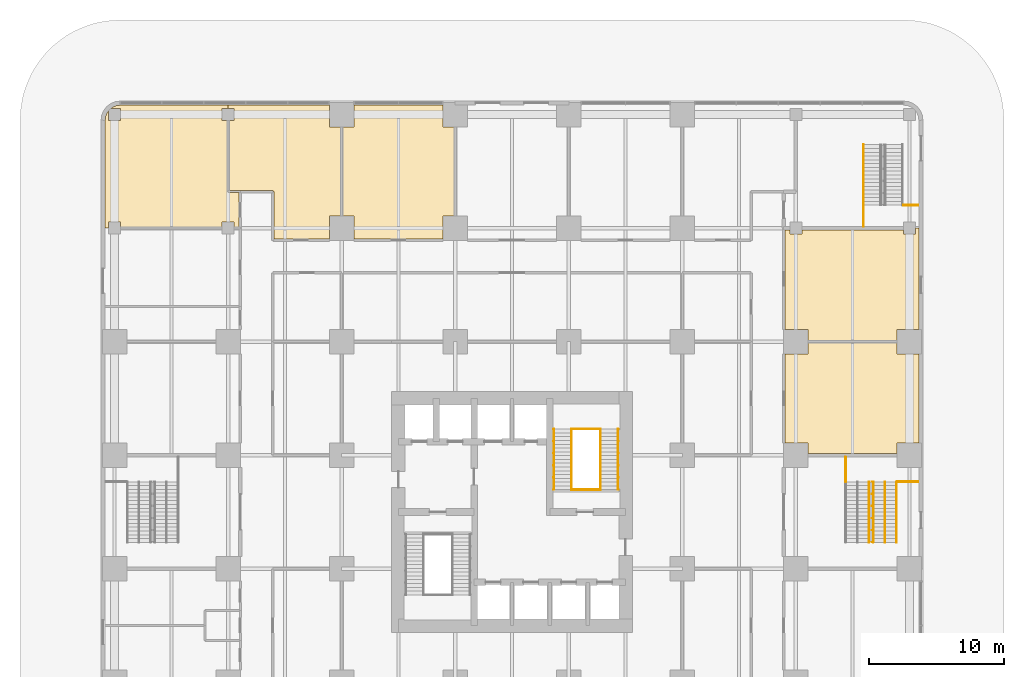
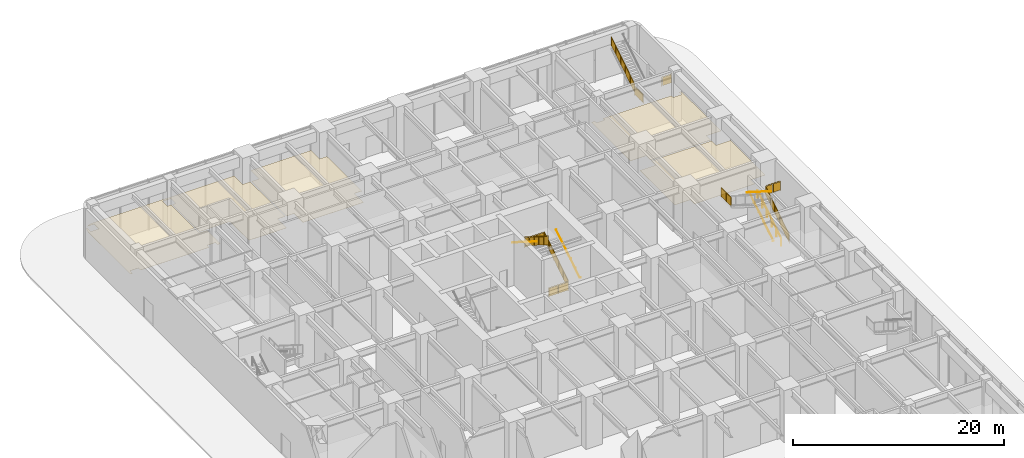
# One storey, part 20 of 21: 15 railings, 5 coverings.
"""IFC4 building model written with IfcOpenShell, lengths in metres."""

from ifc_helpers import new_model, si_unit, direction, frame, origin, origin_2d, place, context, subcontext, project, spatial, polyline, circle, outline, extrude, material, layer, layer_set, type_object, element, save


model = new_model("IFC4")

# Units and contexts
model_context = context("Model", 3, precision=1e-05, world=origin(), true_north=direction((0.0, 1.0)))
body_context = subcontext(model_context, "Body", "Model", "MODEL_VIEW")
ifc_project = project(units=[si_unit("LENGTHUNIT", "METRE"), si_unit("AREAUNIT", "SQUARE_METRE"), si_unit("VOLUMEUNIT", "CUBIC_METRE"), si_unit("PLANEANGLEUNIT", "RADIAN"), si_unit("MASSUNIT", "GRAM", prefix="KILO")], contexts=[model_context])

# Site, building, storey
site_placement = place(None, origin())
site = spatial("IfcSite", under=ifc_project, at=site_placement, CompositionType="ELEMENT")
building_placement = place(site_placement, origin())
building = spatial("IfcBuilding", under=site, at=building_placement, Name="Torre Alcanfor", CompositionType="ELEMENT")
storey_placement = place(building_placement, origin())
storey = spatial("IfcBuildingStorey", under=building, at=storey_placement, Name="L00", CompositionType="ELEMENT", Elevation=0.0)

# Coverings
ifc_material_1 = material(Name="Mineral fibre acoustic tile 20 mm, NRC 0.70, on exposed suspension grid", Category="mineral fibre")
ifc_layer = layer(ifc_material_1, 0.02001953125)
ifc_layer_set = layer_set([ifc_layer], Name="Acoustic suspended ceiling 600x600 mineral fibre tile")
covering_type = type_object("IfcCoveringType", Name="Acoustic suspended ceiling 600x600 mineral fibre tile", PredefinedType="CEILING", material=ifc_layer_set)
covering_1_placement = place(storey_placement, frame((0.0, 0.0, 3.0)))
element("IfcCovering", 1, at=covering_1_placement, inside=storey, type_object=covering_type, Name="Ceiling L00-16", PredefinedType="CEILING", context=body_context, shape_type="SweptSolid", body=[
    extrude(outline(polyline([(57.89990234375, 34.5), (59.5, 34.5), (59.5, 41.10009765625), (57.89990234375, 41.10009765625), (57.89990234375, 41.925048828125), (51.300048828125, 41.925048828125), (51.300048828125, 41.10009765625), (49.60009765625, 41.10009765625), (49.60009765625, 34.5), (51.300048828125, 34.5), (51.300048828125, 33.72509765625), (57.89990234375, 33.72509765625), (57.89990234375, 34.5)])), origin(), (0.0, 0.0, 1.0), 0.02001953125),
])
covering_2_placement = place(storey_placement, frame((0.0, 0.0, 3.0)))
element("IfcCovering", 2, at=covering_2_placement, inside=storey, type_object=covering_type, Name="Ceiling L00-18", PredefinedType="CEILING", context=body_context, shape_type="SweptSolid", body=[
    extrude(outline(polyline([(57.89990234375, 42.89990234375), (59.5, 42.89990234375), (59.5, 50.39990234375), (59.25, 50.39990234375), (59.25, 49.949951171875), (58.35009765625, 49.949951171875), (58.35009765625, 50.27490234375), (50.85009765625, 50.27490234375), (50.85009765625, 49.949951171875), (49.949951171875, 49.949951171875), (49.949951171875, 50.27490234375), (49.60009765625, 50.27490234375), (49.60009765625, 42.89990234375), (51.300048828125, 42.89990234375), (51.300048828125, 42.074951171875), (57.89990234375, 42.074951171875), (57.89990234375, 42.89990234375)])), origin(), (0.0, 0.0, 1.0), 0.02001953125),
])
covering_3_placement = place(storey_placement, frame((0.0, 0.0, 3.0)))
element("IfcCovering", 3, at=covering_3_placement, inside=storey, type_object=covering_type, Name="Ceiling L00-20", PredefinedType="CEILING", context=body_context, shape_type="SweptSolid", body=[
    extrude(outline(polyline([(16.875, 51.300048828125), (17.699951171875, 51.300048828125), (17.699951171875, 49.60009765625), (24.300048828125, 49.60009765625), (24.300048828125, 51.300048828125), (25.10009765625, 51.300048828125), (25.10009765625, 57.89990234375), (24.300048828125, 57.89990234375), (24.300048828125, 59.5), (17.699951171875, 59.5), (17.699951171875, 57.89990234375), (16.875, 57.89990234375), (16.875, 51.300048828125)])), origin(), (0.0, 0.0, 1.0), 0.02001953125),
])
covering_4_placement = place(storey_placement, frame((0.0, 0.0, 3.0)))
element("IfcCovering", 4, at=covering_4_placement, inside=storey, type_object=covering_type, Name="Ceiling L00-23", PredefinedType="CEILING", context=body_context, shape_type="SweptSolid", body=[
    extrude(outline(polyline([(-0.449951171875, 59.079345703125), (-0.55029296875, 58.94873046875), (-0.659912109375, 58.68408203125), (-0.699951171875, 58.38037109375), (-0.699951171875, 50.39990234375), (-0.449951171875, 50.39990234375), (-0.449951171875, 50.85009765625), (0.449951171875, 50.85009765625), (0.449951171875, 50.47509765625), (7.949951171875, 50.47509765625), (7.949951171875, 50.85009765625), (8.85009765625, 50.85009765625), (8.85009765625, 50.47509765625), (9.199951171875, 50.47509765625), (9.199951171875, 53.02490234375), (8.39990234375, 53.02490234375), (8.39990234375, 53.10009765625), (8.324951171875, 53.10009765625), (8.324951171875, 58.35009765625), (7.949951171875, 58.35009765625), (7.949951171875, 59.25), (8.39990234375, 59.25), (8.39990234375, 59.5), (0.419677734375, 59.5), (0.115966796875, 59.4599609375), (-0.148681640625, 59.350341796875), (-0.279296875, 59.25), (0.449951171875, 59.25), (0.449951171875, 58.35009765625), (-0.449951171875, 58.35009765625), (-0.449951171875, 59.079345703125)])), origin(), (0.0, 0.0, 1.0), 0.02001953125),
])
covering_5_placement = place(storey_placement, frame((0.0, 0.0, 3.0)))
element("IfcCovering", 5, at=covering_5_placement, inside=storey, type_object=covering_type, Name="Ceiling L00-25", PredefinedType="CEILING", context=body_context, shape_type="SweptSolid", body=[
    extrude(outline(polyline([(8.39990234375, 59.25), (8.85009765625, 59.25), (8.85009765625, 58.35009765625), (8.47509765625, 58.35009765625), (8.47509765625, 53.175048828125), (9.300048828125, 53.175048828125), (9.300048828125, 53.199951171875), (11.699951171875, 53.199951171875), (11.699951171875, 53.10009765625), (11.800048828125, 53.10009765625), (11.800048828125, 49.60009765625), (15.89990234375, 49.60009765625), (15.89990234375, 51.300048828125), (16.72509765625, 51.300048828125), (16.72509765625, 57.89990234375), (15.89990234375, 57.89990234375), (15.89990234375, 59.5), (8.39990234375, 59.5), (8.39990234375, 59.25)])), origin(), (0.0, 0.0, 1.0), 0.02001953125),
])

# Railings
ifc_material_2 = material(Name="Steel ASTM A500 Grade C hollow sections", Category="steel")
railing_type_1 = type_object("IfcRailingType", Name="Stair guard and handrail 1100", PredefinedType="GUARDRAIL", material=ifc_material_2)
railing_1_placement = place(storey_placement, frame((35.949951171875, 31.050048828125, 0.176513671875)))
element("IfcRailing", 6, at=railing_1_placement, inside=storey, type_object=railing_type_1, Name="Stair guard S2 L00 flight 1", PredefinedType="GUARDRAIL", context=body_context, shape_type="SweptSolid", body=[
    extrude(circle(Radius=0.02392578125, at=origin_2d()), frame((0.0, 0.0, 1.076171875), z_axis=(0.0, 0.845997938375, 0.533186166611), x_axis=(-1.0, 0.0, 0.0)), (0.0, 0.0, 1.0), 5.29541015625),
    extrude(circle(Radius=0.02099609375, at=origin_2d()), origin(), (0.0, 0.0, 1.0), 1.052001953125),
    extrude(circle(Radius=0.02099609375, at=origin_2d()), frame((0.0, 0.89599609375, 0.564697265625)), (0.0, 0.0, 1.0), 1.052001953125),
    extrude(circle(Radius=0.02099609375, at=origin_2d()), frame((0.0, 1.7919921875, 1.12939453125)), (0.0, 0.0, 1.0), 1.052001953125),
    extrude(circle(Radius=0.02099609375, at=origin_2d()), frame((0.0, 2.68798828125, 1.694091796875)), (0.0, 0.0, 1.0), 1.052001953125),
    extrude(circle(Radius=0.02099609375, at=origin_2d()), frame((0.0, 3.583984375, 2.2587890625)), (0.0, 0.0, 1.0), 1.052001953125),
    extrude(circle(Radius=0.02099609375, at=origin_2d()), frame((0.0, 4.47998046875, 2.823486328125)), (0.0, 0.0, 1.0), 1.052001953125),
    extrude(outline(polyline([(0.041015625, 0.075927734375), (0.85498046875, 0.5888671875), (0.85498046875, 1.540771484375), (0.041015625, 1.02783203125), (0.041015625, 0.075927734375)])), frame((-0.005859375, 0.0, 0.0), z_axis=(1.0, 0.0, 0.0), x_axis=(0.0, 1.0, 0.0)), (0.0, 0.0, 1.0), 0.011962890625),
    extrude(outline(polyline([(0.93701171875, 0.640625), (1.7509765625, 1.153564453125), (1.7509765625, 2.10546875), (0.93701171875, 1.592529296875), (0.93701171875, 0.640625)])), frame((-0.005859375, 0.0, 0.0), z_axis=(1.0, 0.0, 0.0), x_axis=(0.0, 1.0, 0.0)), (0.0, 0.0, 1.0), 0.011962890625),
    extrude(outline(polyline([(1.8330078125, 1.205322265625), (2.64697265625, 1.71826171875), (2.64697265625, 2.670166015625), (1.8330078125, 2.1572265625), (1.8330078125, 1.205322265625)])), frame((-0.005859375, 0.0, 0.0), z_axis=(1.0, 0.0, 0.0), x_axis=(0.0, 1.0, 0.0)), (0.0, 0.0, 1.0), 0.011962890625),
    extrude(outline(polyline([(2.72900390625, 1.77001953125), (3.54296875, 2.282958984375), (3.54296875, 3.23486328125), (2.72900390625, 2.721923828125), (2.72900390625, 1.77001953125)])), frame((-0.005859375, 0.0, 0.0), z_axis=(1.0, 0.0, 0.0), x_axis=(0.0, 1.0, 0.0)), (0.0, 0.0, 1.0), 0.011962890625),
    extrude(outline(polyline([(3.625, 2.334716796875), (4.43896484375, 2.84765625), (4.43896484375, 3.799560546875), (3.625, 3.28662109375), (3.625, 2.334716796875)])), frame((-0.005859375, 0.0, 0.0), z_axis=(1.0, 0.0, 0.0), x_axis=(0.0, 1.0, 0.0)), (0.0, 0.0, 1.0), 0.011962890625),
])
railing_2_placement = place(storey_placement, frame((33.800048828125, 35.530029296875, 3.176513671875)))
element("IfcRailing", 7, at=railing_2_placement, inside=storey, type_object=railing_type_1, Name="Stair guard S2 L00 flight 2", PredefinedType="GUARDRAIL", context=body_context, shape_type="SweptSolid", body=[
    extrude(circle(Radius=0.02392578125, at=origin_2d()), frame((0.0, 0.0, 1.076171875), z_axis=(0.0, -0.845997938375, 0.533186166611), x_axis=(1.0, 0.0, 0.0)), (0.0, 0.0, 1.0), 5.29541015625),
    extrude(circle(Radius=0.02099609375, at=origin_2d()), origin(), (0.0, 0.0, 1.0), 1.052001953125),
    extrude(circle(Radius=0.02099609375, at=origin_2d()), frame((0.0, -0.89599609375, 0.564697265625)), (0.0, 0.0, 1.0), 1.052001953125),
    extrude(circle(Radius=0.02099609375, at=origin_2d()), frame((0.0, -1.7919921875, 1.12939453125)), (0.0, 0.0, 1.0), 1.052001953125),
    extrude(circle(Radius=0.02099609375, at=origin_2d()), frame((0.0, -2.68798828125, 1.694091796875)), (0.0, 0.0, 1.0), 1.052001953125),
    extrude(circle(Radius=0.02099609375, at=origin_2d()), frame((0.0, -3.583984375, 2.2587890625)), (0.0, 0.0, 1.0), 1.052001953125),
    extrude(circle(Radius=0.02099609375, at=origin_2d()), frame((0.0, -4.47998046875, 2.823486328125)), (0.0, 0.0, 1.0), 1.052001953125),
    extrude(outline(polyline([(0.041015625, 0.075927734375), (0.85498046875, 0.5888671875), (0.85498046875, 1.540771484375), (0.041015625, 1.02783203125), (0.041015625, 0.075927734375)])), frame((0.005859375, 0.0, 0.0), z_axis=(-1.0, 0.0, 0.0), x_axis=(0.0, -1.0, 0.0)), (0.0, 0.0, 1.0), 0.011962890625),
    extrude(outline(polyline([(0.93701171875, 0.640625), (1.7509765625, 1.153564453125), (1.7509765625, 2.10546875), (0.93701171875, 1.592529296875), (0.93701171875, 0.640625)])), frame((0.005859375, 0.0, 0.0), z_axis=(-1.0, 0.0, 0.0), x_axis=(0.0, -1.0, 0.0)), (0.0, 0.0, 1.0), 0.011962890625),
    extrude(outline(polyline([(1.8330078125, 1.205322265625), (2.64697265625, 1.71826171875), (2.64697265625, 2.670166015625), (1.8330078125, 2.1572265625), (1.8330078125, 1.205322265625)])), frame((0.005859375, 0.0, 0.0), z_axis=(-1.0, 0.0, 0.0), x_axis=(0.0, -1.0, 0.0)), (0.0, 0.0, 1.0), 0.011962890625),
    extrude(outline(polyline([(2.72900390625, 1.77001953125), (3.54296875, 2.282958984375), (3.54296875, 3.23486328125), (2.72900390625, 2.721923828125), (2.72900390625, 1.77001953125)])), frame((0.005859375, 0.0, 0.0), z_axis=(-1.0, 0.0, 0.0), x_axis=(0.0, -1.0, 0.0)), (0.0, 0.0, 1.0), 0.011962890625),
    extrude(outline(polyline([(3.625, 2.334716796875), (4.43896484375, 2.84765625), (4.43896484375, 3.799560546875), (3.625, 3.28662109375), (3.625, 2.334716796875)])), frame((0.005859375, 0.0, 0.0), z_axis=(-1.0, 0.0, 0.0), x_axis=(0.0, -1.0, 0.0)), (0.0, 0.0, 1.0), 0.011962890625),
])
for number, where, name in (
    (8, (33.800048828125, 31.050048828125, 0.0), "Stair well guard S2 L00 floor landing"),
    (9, (33.800048828125, 35.530029296875, 3.0), "Stair well guard S2 L00 half landing"),
):
    element("IfcRailing", number, at=place(storey_placement, frame(where)), inside=storey, type_object=railing_type_1, Name=name, PredefinedType="GUARDRAIL", context=body_context, shape_type="SweptSolid", body=[
        extrude(circle(Radius=0.02392578125, at=origin_2d()), frame((0.0, 0.0, 1.076171875), z_axis=(1.0, 0.0, 0.0), x_axis=(0.0, 1.0, 0.0)), (0.0, 0.0, 1.0), 2.14990234375),
        extrude(circle(Radius=0.02099609375, at=origin_2d()), origin(), (0.0, 0.0, 1.0), 1.052001953125),
        extrude(circle(Radius=0.02099609375, at=origin_2d()), frame((1.074951171875, 0.0, 0.0)), (0.0, 0.0, 1.0), 1.052001953125),
        extrude(circle(Radius=0.02099609375, at=origin_2d()), frame((2.14990234375, 0.0, 0.0)), (0.0, 0.0, 1.0), 1.052001953125),
        extrude(outline(polyline([(0.041015625, 0.050048828125), (1.033935546875, 0.050048828125), (1.033935546875, 1.001953125), (0.041015625, 1.001953125), (0.041015625, 0.050048828125)])), frame((0.0, 0.005859375, 0.0), z_axis=(0.0, -1.0, 0.0), x_axis=(1.0, 0.0, 0.0)), (0.0, 0.0, 1.0), 0.011962890625),
        extrude(outline(polyline([(1.115966796875, 0.050048828125), (2.10888671875, 0.050048828125), (2.10888671875, 1.001953125), (1.115966796875, 1.001953125), (1.115966796875, 0.050048828125)])), frame((0.0, 0.005859375, 0.0), z_axis=(0.0, -1.0, 0.0), x_axis=(1.0, 0.0, 0.0)), (0.0, 0.0, 1.0), 0.011962890625),
    ])
railing_3_placement = place(storey_placement, frame((57.85009765625, 27.155029296875, 0.176513671875)))
element("IfcRailing", 10, at=railing_3_placement, inside=storey, type_object=railing_type_1, Name="Stair guard SS2 L00 flight 1", PredefinedType="GUARDRAIL", context=body_context, shape_type="SweptSolid", body=[
    extrude(circle(Radius=0.02392578125, at=origin_2d()), frame((0.0, 0.0, 1.076171875), z_axis=(0.0, 0.845997938375, 0.533186166611), x_axis=(-1.0, 0.0, 0.0)), (0.0, 0.0, 1.0), 5.29541015625),
    extrude(circle(Radius=0.02099609375, at=origin_2d()), origin(), (0.0, 0.0, 1.0), 1.052001953125),
    extrude(circle(Radius=0.02099609375, at=origin_2d()), frame((0.0, 0.89599609375, 0.564697265625)), (0.0, 0.0, 1.0), 1.052001953125),
    extrude(circle(Radius=0.02099609375, at=origin_2d()), frame((0.0, 1.7919921875, 1.12939453125)), (0.0, 0.0, 1.0), 1.052001953125),
    extrude(circle(Radius=0.02099609375, at=origin_2d()), frame((0.0, 2.68798828125, 1.694091796875)), (0.0, 0.0, 1.0), 1.052001953125),
    extrude(circle(Radius=0.02099609375, at=origin_2d()), frame((0.0, 3.583984375, 2.2587890625)), (0.0, 0.0, 1.0), 1.052001953125),
    extrude(circle(Radius=0.02099609375, at=origin_2d()), frame((0.0, 4.47998046875, 2.823486328125)), (0.0, 0.0, 1.0), 1.052001953125),
    extrude(outline(polyline([(0.041015625, 0.075927734375), (0.85498046875, 0.5888671875), (0.85498046875, 1.540771484375), (0.041015625, 1.02783203125), (0.041015625, 0.075927734375)])), frame((-0.005859375, 0.0, 0.0), z_axis=(1.0, 0.0, 0.0), x_axis=(0.0, 1.0, 0.0)), (0.0, 0.0, 1.0), 0.011962890625),
    extrude(outline(polyline([(0.93701171875, 0.640625), (1.7509765625, 1.153564453125), (1.7509765625, 2.10546875), (0.93701171875, 1.592529296875), (0.93701171875, 0.640625)])), frame((-0.005859375, 0.0, 0.0), z_axis=(1.0, 0.0, 0.0), x_axis=(0.0, 1.0, 0.0)), (0.0, 0.0, 1.0), 0.011962890625),
    extrude(outline(polyline([(1.8330078125, 1.205322265625), (2.64697265625, 1.71826171875), (2.64697265625, 2.670166015625), (1.8330078125, 2.1572265625), (1.8330078125, 1.205322265625)])), frame((-0.005859375, 0.0, 0.0), z_axis=(1.0, 0.0, 0.0), x_axis=(0.0, 1.0, 0.0)), (0.0, 0.0, 1.0), 0.011962890625),
    extrude(outline(polyline([(2.72900390625, 1.77001953125), (3.54296875, 2.282958984375), (3.54296875, 3.23486328125), (2.72900390625, 2.721923828125), (2.72900390625, 1.77001953125)])), frame((-0.005859375, 0.0, 0.0), z_axis=(1.0, 0.0, 0.0), x_axis=(0.0, 1.0, 0.0)), (0.0, 0.0, 1.0), 0.011962890625),
    extrude(outline(polyline([(3.625, 2.334716796875), (4.43896484375, 2.84765625), (4.43896484375, 3.799560546875), (3.625, 3.28662109375), (3.625, 2.334716796875)])), frame((-0.005859375, 0.0, 0.0), z_axis=(1.0, 0.0, 0.0), x_axis=(0.0, 1.0, 0.0)), (0.0, 0.0, 1.0), 0.011962890625),
])
railing_4_placement = place(storey_placement, frame((59.449951171875, 31.635009765625, 3.0)))
element("IfcRailing", 11, at=railing_4_placement, inside=storey, type_object=railing_type_1, Name="Stair guard SS2 L00 half landing facade strip", PredefinedType="GUARDRAIL", context=body_context, shape_type="SweptSolid", body=[
    extrude(circle(Radius=0.02392578125, at=origin_2d()), frame((0.0, 0.0, 1.076171875), z_axis=(-1.0, 0.0, 0.0), x_axis=(0.0, -1.0, 0.0)), (0.0, 0.0, 1.0), 1.550048828125),
    extrude(circle(Radius=0.02099609375, at=origin_2d()), origin(), (0.0, 0.0, 1.0), 1.052001953125),
    extrude(circle(Radius=0.02099609375, at=origin_2d()), frame((-0.77490234375, 0.0, 0.0)), (0.0, 0.0, 1.0), 1.052001953125),
    extrude(circle(Radius=0.02099609375, at=origin_2d()), frame((-1.550048828125, 0.0, 0.0)), (0.0, 0.0, 1.0), 1.052001953125),
    extrude(outline(polyline([(0.041015625, 0.050048828125), (0.734130859375, 0.050048828125), (0.734130859375, 1.001953125), (0.041015625, 1.001953125), (0.041015625, 0.050048828125)])), frame((0.0, -0.005859375, 0.0), z_axis=(0.0, 1.0, 0.0), x_axis=(-1.0, 0.0, 0.0)), (0.0, 0.0, 1.0), 0.011962890625),
    extrude(outline(polyline([(0.81591796875, 0.050048828125), (1.509033203125, 0.050048828125), (1.509033203125, 1.001953125), (0.81591796875, 1.001953125), (0.81591796875, 0.050048828125)])), frame((0.0, -0.005859375, 0.0), z_axis=(0.0, 1.0, 0.0), x_axis=(-1.0, 0.0, 0.0)), (0.0, 0.0, 1.0), 0.011962890625),
])
railing_5_placement = place(storey_placement, frame((54.090087890625, 31.635009765625, 3.0)))
element("IfcRailing", 12, at=railing_5_placement, inside=storey, type_object=railing_type_1, Name="Stair guard SS2 L00 half landing", PredefinedType="GUARDRAIL", context=body_context, shape_type="SweptSolid", body=[
    extrude(circle(Radius=0.02392578125, at=origin_2d()), frame((0.0, 0.0, 1.076171875), z_axis=(0.0, 1.0, 0.0), x_axis=(-1.0, 0.0, 0.0)), (0.0, 0.0, 1.0), 1.830078125),
    extrude(circle(Radius=0.02099609375, at=origin_2d()), origin(), (0.0, 0.0, 1.0), 1.052001953125),
    extrude(circle(Radius=0.02099609375, at=origin_2d()), frame((0.0, 0.9150390625, 0.0)), (0.0, 0.0, 1.0), 1.052001953125),
    extrude(circle(Radius=0.02099609375, at=origin_2d()), frame((0.0, 1.830078125, 0.0)), (0.0, 0.0, 1.0), 1.052001953125),
    extrude(outline(polyline([(0.041015625, 0.050048828125), (0.8740234375, 0.050048828125), (0.8740234375, 1.001953125), (0.041015625, 1.001953125), (0.041015625, 0.050048828125)])), frame((-0.005859375, 0.0, 0.0), z_axis=(1.0, 0.0, 0.0), x_axis=(0.0, 1.0, 0.0)), (0.0, 0.0, 1.0), 0.011962890625),
    extrude(outline(polyline([(0.9560546875, 0.050048828125), (1.7890625, 0.050048828125), (1.7890625, 1.001953125), (0.9560546875, 1.001953125), (0.9560546875, 0.050048828125)])), frame((-0.005859375, 0.0, 0.0), z_axis=(1.0, 0.0, 0.0), x_axis=(0.0, 1.0, 0.0)), (0.0, 0.0, 1.0), 0.011962890625),
])
railing_6_placement = place(storey_placement, frame((55.39990234375, 52.094970703125, 3.176513671875)))
element("IfcRailing", 13, at=railing_6_placement, inside=storey, type_object=railing_type_1, Name="Stair guard SS4 L00 flight 2", PredefinedType="GUARDRAIL", context=body_context, shape_type="SweptSolid", body=[
    extrude(circle(Radius=0.02392578125, at=origin_2d()), frame((0.0, 0.0, 1.076171875), z_axis=(0.0, 0.845997938375, 0.533186166611), x_axis=(-1.0, 0.0, 0.0)), (0.0, 0.0, 1.0), 5.29541015625),
    extrude(circle(Radius=0.02099609375, at=origin_2d()), origin(), (0.0, 0.0, 1.0), 1.052001953125),
    extrude(circle(Radius=0.02099609375, at=origin_2d()), frame((0.0, 0.89599609375, 0.564697265625)), (0.0, 0.0, 1.0), 1.052001953125),
    extrude(circle(Radius=0.02099609375, at=origin_2d()), frame((0.0, 1.7919921875, 1.12939453125)), (0.0, 0.0, 1.0), 1.052001953125),
    extrude(circle(Radius=0.02099609375, at=origin_2d()), frame((0.0, 2.68798828125, 1.694091796875)), (0.0, 0.0, 1.0), 1.052001953125),
    extrude(circle(Radius=0.02099609375, at=origin_2d()), frame((0.0, 3.583984375, 2.2587890625)), (0.0, 0.0, 1.0), 1.052001953125),
    extrude(circle(Radius=0.02099609375, at=origin_2d()), frame((0.0, 4.47998046875, 2.823486328125)), (0.0, 0.0, 1.0), 1.052001953125),
    extrude(outline(polyline([(0.041015625, 0.075927734375), (0.85498046875, 0.5888671875), (0.85498046875, 1.540771484375), (0.041015625, 1.02783203125), (0.041015625, 0.075927734375)])), frame((-0.005859375, 0.0, 0.0), z_axis=(1.0, 0.0, 0.0), x_axis=(0.0, 1.0, 0.0)), (0.0, 0.0, 1.0), 0.011962890625),
    extrude(outline(polyline([(0.93701171875, 0.640625), (1.7509765625, 1.153564453125), (1.7509765625, 2.10546875), (0.93701171875, 1.592529296875), (0.93701171875, 0.640625)])), frame((-0.005859375, 0.0, 0.0), z_axis=(1.0, 0.0, 0.0), x_axis=(0.0, 1.0, 0.0)), (0.0, 0.0, 1.0), 0.011962890625),
    extrude(outline(polyline([(1.8330078125, 1.205322265625), (2.64697265625, 1.71826171875), (2.64697265625, 2.670166015625), (1.8330078125, 2.1572265625), (1.8330078125, 1.205322265625)])), frame((-0.005859375, 0.0, 0.0), z_axis=(1.0, 0.0, 0.0), x_axis=(0.0, 1.0, 0.0)), (0.0, 0.0, 1.0), 0.011962890625),
    extrude(outline(polyline([(2.72900390625, 1.77001953125), (3.54296875, 2.282958984375), (3.54296875, 3.23486328125), (2.72900390625, 2.721923828125), (2.72900390625, 1.77001953125)])), frame((-0.005859375, 0.0, 0.0), z_axis=(1.0, 0.0, 0.0), x_axis=(0.0, 1.0, 0.0)), (0.0, 0.0, 1.0), 0.011962890625),
    extrude(outline(polyline([(3.625, 2.334716796875), (4.43896484375, 2.84765625), (4.43896484375, 3.799560546875), (3.625, 3.28662109375), (3.625, 2.334716796875)])), frame((-0.005859375, 0.0, 0.0), z_axis=(1.0, 0.0, 0.0), x_axis=(0.0, 1.0, 0.0)), (0.0, 0.0, 1.0), 0.011962890625),
])
railing_7_placement = place(storey_placement, frame((59.449951171875, 52.094970703125, 3.0)))
element("IfcRailing", 14, at=railing_7_placement, inside=storey, type_object=railing_type_1, Name="Stair guard SS4 L00 half landing facade strip", PredefinedType="GUARDRAIL", context=body_context, shape_type="SweptSolid", body=[
    extrude(circle(Radius=0.02392578125, at=origin_2d()), frame((0.0, 0.0, 1.076171875), z_axis=(-1.0, 0.0, 0.0), x_axis=(0.0, -1.0, 0.0)), (0.0, 0.0, 1.0), 1.099853515625),
    extrude(circle(Radius=0.02099609375, at=origin_2d()), origin(), (0.0, 0.0, 1.0), 1.052001953125),
    extrude(circle(Radius=0.02099609375, at=origin_2d()), frame((-1.099853515625, 0.0, 0.0)), (0.0, 0.0, 1.0), 1.052001953125),
    extrude(outline(polyline([(0.041015625, 0.050048828125), (1.058837890625, 0.050048828125), (1.058837890625, 1.001953125), (0.041015625, 1.001953125), (0.041015625, 0.050048828125)])), frame((0.0, -0.005859375, 0.0), z_axis=(0.0, 1.0, 0.0), x_axis=(-1.0, 0.0, 0.0)), (0.0, 0.0, 1.0), 0.011962890625),
])
railing_8_placement = place(storey_placement, frame((55.39990234375, 52.094970703125, 3.0)))
element("IfcRailing", 15, at=railing_8_placement, inside=storey, type_object=railing_type_1, Name="Stair guard SS4 L00 half landing", PredefinedType="GUARDRAIL", context=body_context, shape_type="SweptSolid", body=[
    extrude(circle(Radius=0.02392578125, at=origin_2d()), frame((0.0, 0.0, 1.076171875), z_axis=(0.0, -1.0, 0.0), x_axis=(1.0, 0.0, 0.0)), (0.0, 0.0, 1.0), 1.554931640625),
    extrude(circle(Radius=0.02099609375, at=origin_2d()), origin(), (0.0, 0.0, 1.0), 1.052001953125),
    extrude(circle(Radius=0.02099609375, at=origin_2d()), frame((0.0, -0.77734375, 0.0)), (0.0, 0.0, 1.0), 1.052001953125),
    extrude(circle(Radius=0.02099609375, at=origin_2d()), frame((0.0, -1.554931640625, 0.0)), (0.0, 0.0, 1.0), 1.052001953125),
    extrude(outline(polyline([(0.041015625, 0.050048828125), (0.736572265625, 0.050048828125), (0.736572265625, 1.001953125), (0.041015625, 1.001953125), (0.041015625, 0.050048828125)])), frame((0.005859375, 0.0, 0.0), z_axis=(-1.0, 0.0, 0.0), x_axis=(0.0, -1.0, 0.0)), (0.0, 0.0, 1.0), 0.011962890625),
    extrude(outline(polyline([(0.818359375, 0.050048828125), (1.513916015625, 0.050048828125), (1.513916015625, 1.001953125), (0.818359375, 1.001953125), (0.818359375, 0.050048828125)])), frame((0.005859375, 0.0, 0.0), z_axis=(-1.0, 0.0, 0.0), x_axis=(0.0, -1.0, 0.0)), (0.0, 0.0, 1.0), 0.011962890625),
])
ifc_material_3 = material(Name="Steel ASTM A500 Grade C hollow sections", Category="steel")
railing_type_2 = type_object("IfcRailingType", Name="Stair intermediate handrail 900", PredefinedType="HANDRAIL", material=ifc_material_3)
railing_9_placement = place(storey_placement, frame((56.985107421875, 27.155029296875, 0.176513671875)))
element("IfcRailing", 16, at=railing_9_placement, inside=storey, type_object=railing_type_2, Name="Stair intermediate handrail SS2 L00 flight 1 rail 1", PredefinedType="HANDRAIL", context=body_context, shape_type="SweptSolid", body=[
    extrude(circle(Radius=0.02392578125, at=origin_2d()), frame((0.0, 0.0, 0.8759765625), z_axis=(0.0, 0.845997938375, 0.533186166611), x_axis=(-1.0, 0.0, 0.0)), (0.0, 0.0, 1.0), 5.29541015625),
    extrude(circle(Radius=0.02099609375, at=origin_2d()), origin(), (0.0, 0.0, 1.0), 0.851806640625),
    extrude(circle(Radius=0.02099609375, at=origin_2d()), frame((0.0, 0.89599609375, 0.564697265625)), (0.0, 0.0, 1.0), 0.851806640625),
    extrude(circle(Radius=0.02099609375, at=origin_2d()), frame((0.0, 1.7919921875, 1.12939453125)), (0.0, 0.0, 1.0), 0.851806640625),
    extrude(circle(Radius=0.02099609375, at=origin_2d()), frame((0.0, 2.68798828125, 1.694091796875)), (0.0, 0.0, 1.0), 0.851806640625),
    extrude(circle(Radius=0.02099609375, at=origin_2d()), frame((0.0, 3.583984375, 2.2587890625)), (0.0, 0.0, 1.0), 0.851806640625),
    extrude(circle(Radius=0.02099609375, at=origin_2d()), frame((0.0, 4.47998046875, 2.823486328125)), (0.0, 0.0, 1.0), 0.851806640625),
])
ifc_material_4 = material(Name="Steel ASTM A500 Grade C hollow sections", Category="steel")
railing_type_3 = type_object("IfcRailingType", Name="Stair wall handrail 900", PredefinedType="HANDRAIL", material=ifc_material_4)
railing_10_placement = place(storey_placement, frame((37.235107421875, 31.050048828125, 0.176513671875)))
element("IfcRailing", 17, at=railing_10_placement, inside=storey, type_object=railing_type_3, Name="Stair handrail S2 L00 flight 1", PredefinedType="HANDRAIL", context=body_context, shape_type="SweptSolid", body=[
    extrude(circle(Radius=0.02392578125, at=origin_2d()), frame((0.0, 0.0, 0.8759765625), z_axis=(0.0, 0.845997938375, 0.533186166611), x_axis=(-1.0, 0.0, 0.0)), (0.0, 0.0, 1.0), 5.29541015625),
    extrude(circle(Radius=0.008056640625, at=origin_2d()), frame((0.0, 0.0, 0.8759765625), z_axis=(1.0, 0.0, 0.0), x_axis=(0.0, 0.0, 1.0)), (0.0, 0.0, 1.0), 0.06494140625),
    extrude(circle(Radius=0.008056640625, at=origin_2d()), frame((0.0, 0.89599609375, 1.4404296875), z_axis=(1.0, 0.0, 0.0), x_axis=(0.0, 0.0, 1.0)), (0.0, 0.0, 1.0), 0.06494140625),
    extrude(circle(Radius=0.008056640625, at=origin_2d()), frame((0.0, 1.7919921875, 2.00537109375), z_axis=(1.0, 0.0, 0.0), x_axis=(0.0, 0.0, 1.0)), (0.0, 0.0, 1.0), 0.06494140625),
    extrude(circle(Radius=0.008056640625, at=origin_2d()), frame((0.0, 2.68798828125, 2.56982421875), z_axis=(1.0, 0.0, 0.0), x_axis=(0.0, 0.0, 1.0)), (0.0, 0.0, 1.0), 0.06494140625),
    extrude(circle(Radius=0.008056640625, at=origin_2d()), frame((0.0, 3.583984375, 3.134765625), z_axis=(1.0, 0.0, 0.0), x_axis=(0.0, 0.0, 1.0)), (0.0, 0.0, 1.0), 0.06494140625),
    extrude(circle(Radius=0.008056640625, at=origin_2d()), frame((0.0, 4.47998046875, 3.69921875), z_axis=(1.0, 0.0, 0.0), x_axis=(0.0, 0.0, 1.0)), (0.0, 0.0, 1.0), 0.06494140625),
])
railing_11_placement = place(storey_placement, frame((32.514892578125, 35.530029296875, 3.176513671875)))
element("IfcRailing", 18, at=railing_11_placement, inside=storey, type_object=railing_type_3, Name="Stair handrail S2 L00 flight 2", PredefinedType="HANDRAIL", context=body_context, shape_type="SweptSolid", body=[
    extrude(circle(Radius=0.02392578125, at=origin_2d()), frame((0.0, 0.0, 0.8759765625), z_axis=(0.0, -0.845997938375, 0.533186166611), x_axis=(1.0, 0.0, 0.0)), (0.0, 0.0, 1.0), 5.29541015625),
    extrude(circle(Radius=0.008056640625, at=origin_2d()), frame((0.0, 0.0, 0.8759765625), z_axis=(-1.0, 0.0, 0.0), x_axis=(0.0, 0.0, 1.0)), (0.0, 0.0, 1.0), 0.06494140625),
    extrude(circle(Radius=0.008056640625, at=origin_2d()), frame((0.0, -0.89599609375, 1.4404296875), z_axis=(-1.0, 0.0, 0.0), x_axis=(0.0, 0.0, 1.0)), (0.0, 0.0, 1.0), 0.06494140625),
    extrude(circle(Radius=0.008056640625, at=origin_2d()), frame((0.0, -1.7919921875, 2.00537109375), z_axis=(-1.0, 0.0, 0.0), x_axis=(0.0, 0.0, 1.0)), (0.0, 0.0, 1.0), 0.06494140625),
    extrude(circle(Radius=0.008056640625, at=origin_2d()), frame((0.0, -2.68798828125, 2.56982421875), z_axis=(-1.0, 0.0, 0.0), x_axis=(0.0, 0.0, 1.0)), (0.0, 0.0, 1.0), 0.06494140625),
    extrude(circle(Radius=0.008056640625, at=origin_2d()), frame((0.0, -3.583984375, 3.134765625), z_axis=(-1.0, 0.0, 0.0), x_axis=(0.0, 0.0, 1.0)), (0.0, 0.0, 1.0), 0.06494140625),
    extrude(circle(Radius=0.008056640625, at=origin_2d()), frame((0.0, -4.47998046875, 3.69921875), z_axis=(-1.0, 0.0, 0.0), x_axis=(0.0, 0.0, 1.0)), (0.0, 0.0, 1.0), 0.06494140625),
])
railing_12_placement = place(storey_placement, frame((56.135009765625, 27.155029296875, 0.176513671875)))
element("IfcRailing", 19, at=railing_12_placement, inside=storey, type_object=railing_type_3, Name="Stair handrail SS2 L00 flight 1", PredefinedType="HANDRAIL", context=body_context, shape_type="SweptSolid", body=[
    extrude(circle(Radius=0.02392578125, at=origin_2d()), frame((0.0, 0.0, 0.8759765625), z_axis=(0.0, 0.845997938375, 0.533186166611), x_axis=(-1.0, 0.0, 0.0)), (0.0, 0.0, 1.0), 5.29541015625),
    extrude(circle(Radius=0.008056640625, at=origin_2d()), frame((0.0, 0.0, 0.8759765625), z_axis=(-1.0, 0.0, 0.0), x_axis=(0.0, 0.0, 1.0)), (0.0, 0.0, 1.0), 0.06494140625),
    extrude(circle(Radius=0.008056640625, at=origin_2d()), frame((0.0, 0.89599609375, 1.4404296875), z_axis=(-1.0, 0.0, 0.0), x_axis=(0.0, 0.0, 1.0)), (0.0, 0.0, 1.0), 0.06494140625),
    extrude(circle(Radius=0.008056640625, at=origin_2d()), frame((0.0, 1.7919921875, 2.00537109375), z_axis=(-1.0, 0.0, 0.0), x_axis=(0.0, 0.0, 1.0)), (0.0, 0.0, 1.0), 0.06494140625),
    extrude(circle(Radius=0.008056640625, at=origin_2d()), frame((0.0, 2.68798828125, 2.56982421875), z_axis=(-1.0, 0.0, 0.0), x_axis=(0.0, 0.0, 1.0)), (0.0, 0.0, 1.0), 0.06494140625),
    extrude(circle(Radius=0.008056640625, at=origin_2d()), frame((0.0, 3.583984375, 3.134765625), z_axis=(-1.0, 0.0, 0.0), x_axis=(0.0, 0.0, 1.0)), (0.0, 0.0, 1.0), 0.06494140625),
    extrude(circle(Radius=0.008056640625, at=origin_2d()), frame((0.0, 4.47998046875, 3.69921875), z_axis=(-1.0, 0.0, 0.0), x_axis=(0.0, 0.0, 1.0)), (0.0, 0.0, 1.0), 0.06494140625),
])
railing_13_placement = place(storey_placement, frame((55.804931640625, 31.635009765625, 3.176513671875)))
element("IfcRailing", 20, at=railing_13_placement, inside=storey, type_object=railing_type_3, Name="Stair handrail SS2 L00 flight 2", PredefinedType="HANDRAIL", context=body_context, shape_type="SweptSolid", body=[
    extrude(circle(Radius=0.02392578125, at=origin_2d()), frame((0.0, 0.0, 0.8759765625), z_axis=(0.0, -0.845997938375, 0.533186166611), x_axis=(1.0, 0.0, 0.0)), (0.0, 0.0, 1.0), 5.29541015625),
    extrude(circle(Radius=0.008056640625, at=origin_2d()), frame((0.0, 0.0, 0.8759765625), z_axis=(1.0, 0.0, 0.0), x_axis=(0.0, 0.0, 1.0)), (0.0, 0.0, 1.0), 0.06494140625),
    extrude(circle(Radius=0.008056640625, at=origin_2d()), frame((0.0, -0.89599609375, 1.4404296875), z_axis=(1.0, 0.0, 0.0), x_axis=(0.0, 0.0, 1.0)), (0.0, 0.0, 1.0), 0.06494140625),
    extrude(circle(Radius=0.008056640625, at=origin_2d()), frame((0.0, -1.7919921875, 2.00537109375), z_axis=(1.0, 0.0, 0.0), x_axis=(0.0, 0.0, 1.0)), (0.0, 0.0, 1.0), 0.06494140625),
    extrude(circle(Radius=0.008056640625, at=origin_2d()), frame((0.0, -2.68798828125, 2.56982421875), z_axis=(1.0, 0.0, 0.0), x_axis=(0.0, 0.0, 1.0)), (0.0, 0.0, 1.0), 0.06494140625),
    extrude(circle(Radius=0.008056640625, at=origin_2d()), frame((0.0, -3.583984375, 3.134765625), z_axis=(1.0, 0.0, 0.0), x_axis=(0.0, 0.0, 1.0)), (0.0, 0.0, 1.0), 0.06494140625),
    extrude(circle(Radius=0.008056640625, at=origin_2d()), frame((0.0, -4.47998046875, 3.69921875), z_axis=(1.0, 0.0, 0.0), x_axis=(0.0, 0.0, 1.0)), (0.0, 0.0, 1.0), 0.06494140625),
])

save(model, "model.ifc")
